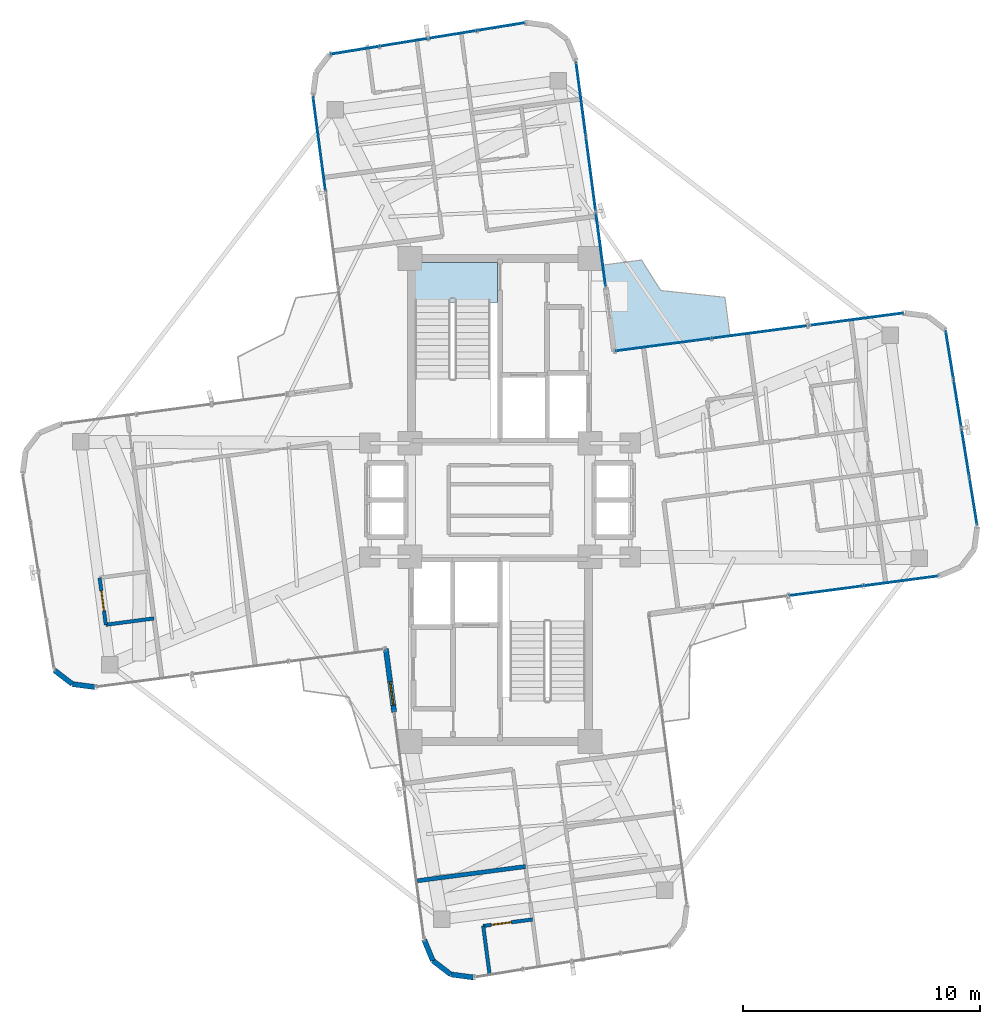
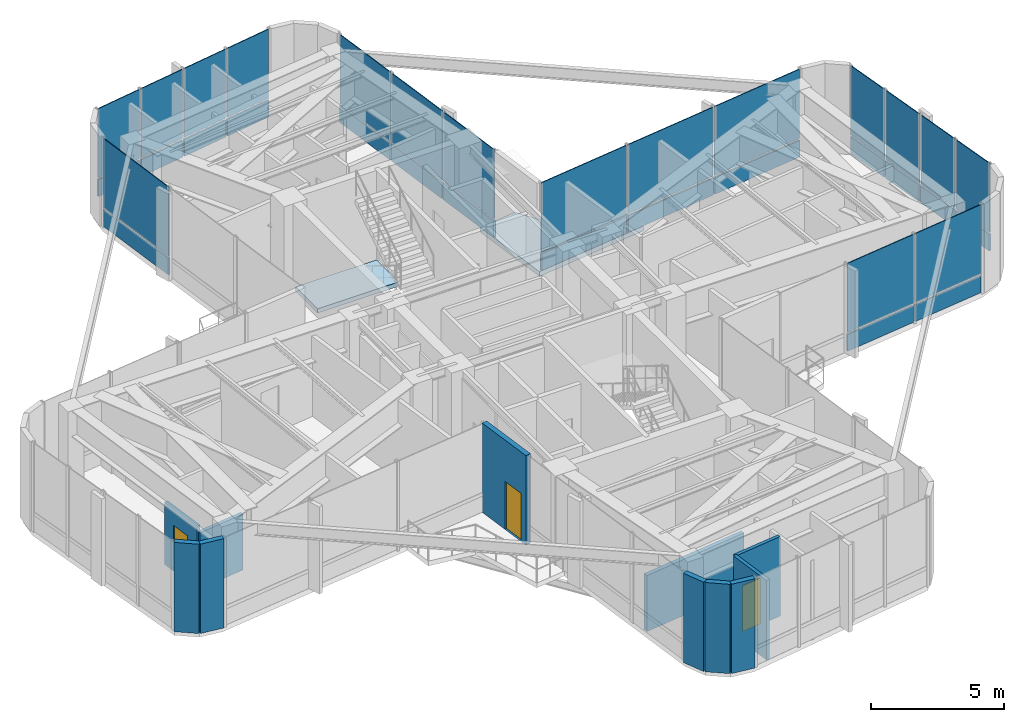
# One storey, part 13 of 18: 34 plates, 11 walls, 3 doors, 2 slabs, 3 openings, 6 elements without a shape of their own.
"""IFC4 building model written with IfcOpenShell, lengths in metres."""

from ifc_helpers import new_model, si_unit, direction, frame, frame_2d, origin, origin_2d, place, context, subcontext, project, spatial, polyline, rectangle, outline, extrude, source, transform, mapped, material, layer, layer_set, type_object, element, fill, aggregate, save


model = new_model("IFC4")

# Units and contexts
model_context = context("Model", 3, precision=1e-05, world=origin(), true_north=direction((0.0, 1.0)))
body_context = subcontext(model_context, "Body", "Model", "MODEL_VIEW")
ifc_project = project(units=[si_unit("LENGTHUNIT", "METRE"), si_unit("AREAUNIT", "SQUARE_METRE"), si_unit("VOLUMEUNIT", "CUBIC_METRE"), si_unit("PLANEANGLEUNIT", "RADIAN"), si_unit("MASSUNIT", "GRAM", prefix="KILO")], contexts=[model_context])

# Site, building, storey
site_placement = place(None, origin())
site = spatial("IfcSite", under=ifc_project, at=site_placement, CompositionType="ELEMENT")
building_placement = place(site_placement, origin())
building = spatial("IfcBuilding", under=site, at=building_placement, Name="Sahyath Konkavel Grand Hotel", CompositionType="ELEMENT")
storey_placement = place(building_placement, frame((0.0, 0.0, 275.800048828125)))
storey = spatial("IfcBuildingStorey", under=building, at=storey_placement, Name="L77", CompositionType="ELEMENT", Elevation=275.800048828125)

# Slabs
ifc_material_1 = material(Name="Concrete C40/50", Category="concrete")
ifc_layer_1 = layer(ifc_material_1, 0.219970703125)
ifc_layer_set_1 = layer_set([ifc_layer_1], Name="Concrete C40/50")
slab_type_1 = type_object("IfcSlabType", Name="SLB-BALCONY-220", PredefinedType="FLOOR", material=ifc_layer_set_1)
slab_1_placement = place(storey_placement, frame((0.0, 0.0, -0.219970703125)))
element("IfcSlab", 1, at=slab_1_placement, inside=storey, type_object=slab_type_1, Name="L77 Winter-Garden Balcony NE", PredefinedType="FLOOR", context=body_context, shape_type="SweptSolid", body=[
    extrude(outline(polyline([(4.821044921875, 6.282958984375), (9.7119140625, 6.927001953125), (9.497314453125, 8.557373046875), (6.78759765625, 8.845703125), (5.972900390625, 10.13330078125), (4.342529296875, 9.918701171875), (4.821044921875, 6.282958984375)])), origin(), (0.0, 0.0, 1.0), 0.219970703125),
])
ifc_layer_2 = layer(ifc_material_1, 0.199951171875)
ifc_layer_set_2 = layer_set([ifc_layer_2], Name="Concrete C40/50")
slab_type_2 = type_object("IfcSlabType", Name="SLB-STAIR-LND", PredefinedType="LANDING", material=ifc_layer_set_2)
slab_2_placement = place(storey_placement, frame((0.0, 0.0, -0.199951171875)))
element("IfcSlab", 2, at=slab_2_placement, inside=storey, type_object=slab_type_2, Name="L77 Stair ST-1 Floor Landing Slab", PredefinedType="LANDING", context=body_context, shape_type="SweptSolid", body=[
    extrude(outline(polyline([(-3.6201171875, 8.35009765625), (-0.10009765625, 8.35009765625), (-0.10009765625, 10.02001953125), (-3.6201171875, 10.02001953125), (-3.6201171875, 8.35009765625)])), origin(), (0.0, 0.0, 1.0), 0.199951171875),
])

# Curtain wall, plates
ifc_material_2 = material(Name="Anodised Bronze Aluminium & Low-E Glazing", Category="aluminium")
curtain_wall_type = type_object("IfcCurtainWallType", Name="CW-ZONE4", PredefinedType="NOTDEFINED", material=ifc_material_2)
curtain_wall_1_placement = place(storey_placement, origin())
curtain_wall_1 = element("IfcCurtainWall", 3, at=curtain_wall_1_placement, inside=storey, type_object=curtain_wall_type, Name="L77 Unitised Curtain Wall F0", PredefinedType="NOTDEFINED")
ifc_material_3 = material(Name="Warm Buff Sandstone Cladding", Category="masonry")
ifc_layer_3 = layer(ifc_material_3, 0.074951171875)
ifc_layer_set_3 = layer_set([ifc_layer_3], Name="Warm Buff Sandstone Cladding")
plate_type_1 = type_object("IfcPlateType", Name="PNL-SPANDREL-STONE", PredefinedType="SHEET", material=ifc_layer_set_3)
shared_shape_1 = source(origin(), body_context, "Body", "SweptSolid", [
    extrude(rectangle(XDim=3.123291015625, YDim=0.074951171875, at=origin_2d()), origin(), (0.0, 0.0, 1.0), 0.77001953125),
])
plate_1_placement = place(storey_placement, frame((13.763427734375, -3.836181640625, 0.0400390625), z_axis=(0.0, 0.0, 1.0), x_axis=(0.991444861374, 0.13052619222, 0.0)))
plate_1 = element("IfcPlate", 4, at=plate_1_placement, type_object=plate_type_1, Name="L77 Sandstone Relief Spandrel Panel F0-1", PredefinedType="SHEET", context=body_context, shape_type="MappedRepresentation", body=[
    mapped(shared_shape_1, transform((0.0, 0.0, 0.0), scale=1.0)),
])
plate_2_placement = place(storey_placement, frame((16.939453125, -3.418212890625, 0.0400390625), z_axis=(0.0, 0.0, 1.0), x_axis=(0.991444861374, 0.13052619222, 0.0)))
plate_2 = element("IfcPlate", 5, at=plate_2_placement, type_object=plate_type_1, Name="L77 Sandstone Relief Spandrel Panel F0-2", PredefinedType="SHEET", context=body_context, shape_type="MappedRepresentation", body=[
    mapped(shared_shape_1, transform((0.0, 0.0, 0.0), scale=1.0)),
])

curtain_wall_2_placement = place(storey_placement, origin())
curtain_wall_2 = element("IfcCurtainWall", 6, at=curtain_wall_2_placement, inside=storey, type_object=curtain_wall_type, Name="L77 Unitised Curtain Wall F8", PredefinedType="NOTDEFINED")
plate_3_placement = place(storey_placement, frame((4.25439453125, 10.587646484375, 0.0400390625), z_axis=(0.0, 0.0, 1.0), x_axis=(-0.13052619222, 0.991444861374, 0.0)))
plate_3 = element("IfcPlate", 7, at=plate_3_placement, type_object=plate_type_1, Name="L77 Sandstone Relief Spandrel Panel F8-0", PredefinedType="SHEET", context=body_context, shape_type="MappedRepresentation", body=[
    mapped(shared_shape_1, transform((0.0, 0.0, 0.0), scale=1.0)),
])
plate_4_placement = place(storey_placement, frame((3.836181640625, 13.763427734375, 0.0400390625), z_axis=(0.0, 0.0, 1.0), x_axis=(-0.13052619222, 0.991444861374, 0.0)))
plate_4 = element("IfcPlate", 8, at=plate_4_placement, type_object=plate_type_1, Name="L77 Sandstone Relief Spandrel Panel F8-1", PredefinedType="SHEET", context=body_context, shape_type="MappedRepresentation", body=[
    mapped(shared_shape_1, transform((0.0, 0.0, 0.0), scale=1.0)),
])
plate_5_placement = place(storey_placement, frame((3.418212890625, 16.939453125, 0.0400390625), z_axis=(0.0, 0.0, 1.0), x_axis=(-0.13052619222, 0.991444861374, 0.0)))
plate_5 = element("IfcPlate", 9, at=plate_5_placement, type_object=plate_type_1, Name="L77 Sandstone Relief Spandrel Panel F8-2", PredefinedType="SHEET", context=body_context, shape_type="MappedRepresentation", body=[
    mapped(shared_shape_1, transform((0.0, 0.0, 0.0), scale=1.0)),
])

curtain_wall_3_placement = place(storey_placement, origin())
curtain_wall_3 = element("IfcCurtainWall", 10, at=curtain_wall_3_placement, inside=storey, type_object=curtain_wall_type, Name="L77 Unitised Curtain Wall F4", PredefinedType="NOTDEFINED")
shared_shape_2 = source(origin(), body_context, "Body", "SweptSolid", [
    extrude(rectangle(XDim=2.007080078125, YDim=0.074951171875, at=origin_2d()), origin(), (0.0, 0.0, 1.0), 0.77001953125),
])
plate_6_placement = place(storey_placement, frame((19.98681640625, -0.05859375, 0.0400390625), z_axis=(0.0, 0.0, 1.0), x_axis=(-0.159622750546, 0.987178088041, 0.0)))
plate_6 = element("IfcPlate", 11, at=plate_6_placement, type_object=plate_type_1, Name="L77 Sandstone Relief Spandrel Panel F4-0", PredefinedType="SHEET", context=body_context, shape_type="MappedRepresentation", body=[
    mapped(shared_shape_2, transform((0.0, 0.0, 0.0), scale=1.0)),
])
plate_7_placement = place(storey_placement, frame((19.653564453125, 2.001708984375, 0.0400390625), z_axis=(0.0, 0.0, 1.0), x_axis=(-0.159622750546, 0.987178088041, 0.0)))
plate_7 = element("IfcPlate", 12, at=plate_7_placement, type_object=plate_type_1, Name="L77 Sandstone Relief Spandrel Panel F4-1", PredefinedType="SHEET", context=body_context, shape_type="MappedRepresentation", body=[
    mapped(shared_shape_2, transform((0.0, 0.0, 0.0), scale=1.0)),
])
plate_8_placement = place(storey_placement, frame((19.3203125, 4.062255859375, 0.0400390625), z_axis=(0.0, 0.0, 1.0), x_axis=(-0.159622750546, 0.987178088041, 0.0)))
plate_8 = element("IfcPlate", 13, at=plate_8_placement, type_object=plate_type_1, Name="L77 Sandstone Relief Spandrel Panel F4-2", PredefinedType="SHEET", context=body_context, shape_type="MappedRepresentation", body=[
    mapped(shared_shape_2, transform((0.0, 0.0, 0.0), scale=1.0)),
])
plate_9_placement = place(storey_placement, frame((18.9873046875, 6.12255859375, 0.0400390625), z_axis=(0.0, 0.0, 1.0), x_axis=(-0.159622750546, 0.987178088041, 0.0)))
plate_9 = element("IfcPlate", 14, at=plate_9_placement, type_object=plate_type_1, Name="L77 Sandstone Relief Spandrel Panel F4-3", PredefinedType="SHEET", context=body_context, shape_type="MappedRepresentation", body=[
    mapped(shared_shape_2, transform((0.0, 0.0, 0.0), scale=1.0)),
])

curtain_wall_4_placement = place(storey_placement, origin())
curtain_wall_4 = element("IfcCurtainWall", 15, at=curtain_wall_4_placement, inside=storey, type_object=curtain_wall_type, Name="L77 Unitised Curtain Wall F12", PredefinedType="NOTDEFINED")
plate_10_placement = place(storey_placement, frame((0.05859375, 19.98681640625, 0.0400390625), z_axis=(0.0, 0.0, 1.0), x_axis=(-0.987178088041, -0.159622750546, 0.0)))
plate_10 = element("IfcPlate", 16, at=plate_10_placement, type_object=plate_type_1, Name="L77 Sandstone Relief Spandrel Panel F12-0", PredefinedType="SHEET", context=body_context, shape_type="MappedRepresentation", body=[
    mapped(shared_shape_2, transform((0.0, 0.0, 0.0), scale=1.0)),
])
plate_11_placement = place(storey_placement, frame((-2.001708984375, 19.653564453125, 0.0400390625), z_axis=(0.0, 0.0, 1.0), x_axis=(-0.987178088041, -0.159622750546, 0.0)))
plate_11 = element("IfcPlate", 17, at=plate_11_placement, type_object=plate_type_1, Name="L77 Sandstone Relief Spandrel Panel F12-1", PredefinedType="SHEET", context=body_context, shape_type="MappedRepresentation", body=[
    mapped(shared_shape_2, transform((0.0, 0.0, 0.0), scale=1.0)),
])
plate_12_placement = place(storey_placement, frame((-4.062255859375, 19.3203125, 0.0400390625), z_axis=(0.0, 0.0, 1.0), x_axis=(-0.987178088041, -0.159622750546, 0.0)))
plate_12 = element("IfcPlate", 18, at=plate_12_placement, type_object=plate_type_1, Name="L77 Sandstone Relief Spandrel Panel F12-2", PredefinedType="SHEET", context=body_context, shape_type="MappedRepresentation", body=[
    mapped(shared_shape_2, transform((0.0, 0.0, 0.0), scale=1.0)),
])
plate_13_placement = place(storey_placement, frame((-6.12255859375, 18.9873046875, 0.0400390625), z_axis=(0.0, 0.0, 1.0), x_axis=(-0.987178088041, -0.159622750546, 0.0)))
plate_13 = element("IfcPlate", 19, at=plate_13_placement, type_object=plate_type_1, Name="L77 Sandstone Relief Spandrel Panel F12-3", PredefinedType="SHEET", context=body_context, shape_type="MappedRepresentation", body=[
    mapped(shared_shape_2, transform((0.0, 0.0, 0.0), scale=1.0)),
])

curtain_wall_5_placement = place(storey_placement, origin())
curtain_wall_5 = element("IfcCurtainWall", 20, at=curtain_wall_5_placement, inside=storey, type_object=curtain_wall_type, Name="L77 Unitised Curtain Wall F7", PredefinedType="NOTDEFINED")
shared_shape_3 = source(origin(), body_context, "Body", "SweptSolid", [
    extrude(rectangle(XDim=4.023193359375, YDim=0.074951171875, at=origin_2d()), origin(), (0.0, 0.0, 1.0), 0.77001953125),
])
plate_14_placement = place(storey_placement, frame((15.03125, 7.627197265625, 0.0400390625), z_axis=(0.0, 0.0, 1.0), x_axis=(-0.991444861374, -0.13052619222, 0.0)))
plate_14 = element("IfcPlate", 21, at=plate_14_placement, type_object=plate_type_1, Name="L77 Sandstone Relief Spandrel Panel F7-0", PredefinedType="SHEET", context=body_context, shape_type="MappedRepresentation", body=[
    mapped(shared_shape_3, transform((0.0, 0.0, 0.0), scale=1.0)),
])
plate_15_placement = place(storey_placement, frame((10.963134765625, 7.091552734375, 0.0400390625), z_axis=(0.0, 0.0, 1.0), x_axis=(-0.991444861374, -0.13052619222, 0.0)))
plate_15 = element("IfcPlate", 22, at=plate_15_placement, type_object=plate_type_1, Name="L77 Sandstone Relief Spandrel Panel F7-1", PredefinedType="SHEET", context=body_context, shape_type="MappedRepresentation", body=[
    mapped(shared_shape_3, transform((0.0, 0.0, 0.0), scale=1.0)),
])
plate_16_placement = place(storey_placement, frame((6.89501953125, 6.555908203125, 0.0400390625), z_axis=(0.0, 0.0, 1.0), x_axis=(-0.991444861374, -0.13052619222, 0.0)))
plate_16 = element("IfcPlate", 23, at=plate_16_placement, type_object=plate_type_1, Name="L77 Sandstone Relief Spandrel Panel F7-2", PredefinedType="SHEET", context=body_context, shape_type="MappedRepresentation", body=[
    mapped(shared_shape_3, transform((0.0, 0.0, 0.0), scale=1.0)),
])

# Curtain wall, plate
curtain_wall_6_placement = place(storey_placement, origin())
curtain_wall_6 = element("IfcCurtainWall", 24, at=curtain_wall_6_placement, inside=storey, type_object=curtain_wall_type, Name="L77 Unitised Curtain Wall F15", PredefinedType="NOTDEFINED")
plate_17_placement = place(storey_placement, frame((-7.627197265625, 15.03125, 0.0400390625), z_axis=(0.0, 0.0, 1.0), x_axis=(0.13052619222, -0.991444861374, 0.0)))
plate_17 = element("IfcPlate", 25, at=plate_17_placement, type_object=plate_type_1, Name="L77 Sandstone Relief Spandrel Panel F15-0", PredefinedType="SHEET", context=body_context, shape_type="MappedRepresentation", body=[
    mapped(shared_shape_3, transform((0.0, 0.0, 0.0), scale=1.0)),
])

# Plate
ifc_material_4 = material(Name="Low-E Solar Control Double Glazing", Category="glass")
ifc_layer_4 = layer(ifc_material_4, 0.035888671875)
ifc_layer_set_4 = layer_set([ifc_layer_4], Name="Low-E Solar Control Double Glazing")
plate_type_2 = type_object("IfcPlateType", Name="PNL-VISION-LOWE", PredefinedType="CURTAIN_PANEL", material=ifc_layer_set_4)
shared_shape_4 = source(origin(), body_context, "Body", "SweptSolid", [
    extrude(rectangle(XDim=3.123291015625, YDim=0.035888671875, at=origin_2d()), origin(), (0.0, 0.0, 1.0), 3.169921875),
])
plate_18_placement = place(storey_placement, frame((13.763427734375, -3.836181640625, 0.889892578125), z_axis=(0.0, 0.0, 1.0), x_axis=(0.991444861374, 0.13052619222, 0.0)))
plate_18 = element("IfcPlate", 26, at=plate_18_placement, type_object=plate_type_2, Name="L77 Low-E Vision Glazing Panel F0-1", PredefinedType="CURTAIN_PANEL", context=body_context, shape_type="MappedRepresentation", body=[
    mapped(shared_shape_4, transform((0.0, 0.0, 0.0), scale=1.0)),
])

plate_19_placement = place(storey_placement, frame((16.939453125, -3.418212890625, 0.889892578125), z_axis=(0.0, 0.0, 1.0), x_axis=(0.991444861374, 0.13052619222, 0.0)))
plate_19 = element("IfcPlate", 27, at=plate_19_placement, type_object=plate_type_2, Name="L77 Low-E Vision Glazing Panel F0-2", PredefinedType="CURTAIN_PANEL", context=body_context, shape_type="MappedRepresentation", body=[
    mapped(shared_shape_4, transform((0.0, 0.0, 0.0), scale=1.0)),
])

aggregate(curtain_wall_1, [plate_1, plate_18, plate_2, plate_19])

plate_20_placement = place(storey_placement, frame((4.25439453125, 10.587646484375, 0.889892578125), z_axis=(0.0, 0.0, 1.0), x_axis=(-0.13052619222, 0.991444861374, 0.0)))
plate_20 = element("IfcPlate", 28, at=plate_20_placement, type_object=plate_type_2, Name="L77 Low-E Vision Glazing Panel F8-0", PredefinedType="CURTAIN_PANEL", context=body_context, shape_type="MappedRepresentation", body=[
    mapped(shared_shape_4, transform((0.0, 0.0, 0.0), scale=1.0)),
])

plate_21_placement = place(storey_placement, frame((3.836181640625, 13.763427734375, 0.889892578125), z_axis=(0.0, 0.0, 1.0), x_axis=(-0.13052619222, 0.991444861374, 0.0)))
plate_21 = element("IfcPlate", 29, at=plate_21_placement, type_object=plate_type_2, Name="L77 Low-E Vision Glazing Panel F8-1", PredefinedType="CURTAIN_PANEL", context=body_context, shape_type="MappedRepresentation", body=[
    mapped(shared_shape_4, transform((0.0, 0.0, 0.0), scale=1.0)),
])

plate_22_placement = place(storey_placement, frame((3.418212890625, 16.939453125, 0.889892578125), z_axis=(0.0, 0.0, 1.0), x_axis=(-0.13052619222, 0.991444861374, 0.0)))
plate_22 = element("IfcPlate", 30, at=plate_22_placement, type_object=plate_type_2, Name="L77 Low-E Vision Glazing Panel F8-2", PredefinedType="CURTAIN_PANEL", context=body_context, shape_type="MappedRepresentation", body=[
    mapped(shared_shape_4, transform((0.0, 0.0, 0.0), scale=1.0)),
])

aggregate(curtain_wall_2, [plate_3, plate_20, plate_4, plate_21, plate_5, plate_22])

shared_shape_5 = source(origin(), body_context, "Body", "SweptSolid", [
    extrude(rectangle(XDim=2.007080078125, YDim=0.035888671875, at=origin_2d()), origin(), (0.0, 0.0, 1.0), 3.169921875),
])
plate_23_placement = place(storey_placement, frame((19.98681640625, -0.05859375, 0.889892578125), z_axis=(0.0, 0.0, 1.0), x_axis=(-0.159622750546, 0.987178088041, 0.0)))
plate_23 = element("IfcPlate", 31, at=plate_23_placement, type_object=plate_type_2, Name="L77 Low-E Vision Glazing Panel F4-0", PredefinedType="CURTAIN_PANEL", context=body_context, shape_type="MappedRepresentation", body=[
    mapped(shared_shape_5, transform((0.0, 0.0, 0.0), scale=1.0)),
])

plate_24_placement = place(storey_placement, frame((19.653564453125, 2.001708984375, 0.889892578125), z_axis=(0.0, 0.0, 1.0), x_axis=(-0.159622750546, 0.987178088041, 0.0)))
plate_24 = element("IfcPlate", 32, at=plate_24_placement, type_object=plate_type_2, Name="L77 Low-E Vision Glazing Panel F4-1", PredefinedType="CURTAIN_PANEL", context=body_context, shape_type="MappedRepresentation", body=[
    mapped(shared_shape_5, transform((0.0, 0.0, 0.0), scale=1.0)),
])

plate_25_placement = place(storey_placement, frame((19.3203125, 4.062255859375, 0.889892578125), z_axis=(0.0, 0.0, 1.0), x_axis=(-0.159622750546, 0.987178088041, 0.0)))
plate_25 = element("IfcPlate", 33, at=plate_25_placement, type_object=plate_type_2, Name="L77 Low-E Vision Glazing Panel F4-2", PredefinedType="CURTAIN_PANEL", context=body_context, shape_type="MappedRepresentation", body=[
    mapped(shared_shape_5, transform((0.0, 0.0, 0.0), scale=1.0)),
])

plate_26_placement = place(storey_placement, frame((18.9873046875, 6.12255859375, 0.889892578125), z_axis=(0.0, 0.0, 1.0), x_axis=(-0.159622750546, 0.987178088041, 0.0)))
plate_26 = element("IfcPlate", 34, at=plate_26_placement, type_object=plate_type_2, Name="L77 Low-E Vision Glazing Panel F4-3", PredefinedType="CURTAIN_PANEL", context=body_context, shape_type="MappedRepresentation", body=[
    mapped(shared_shape_5, transform((0.0, 0.0, 0.0), scale=1.0)),
])

aggregate(curtain_wall_3, [plate_6, plate_23, plate_7, plate_24, plate_8, plate_25, plate_9, plate_26])

plate_27_placement = place(storey_placement, frame((0.05859375, 19.98681640625, 0.889892578125), z_axis=(0.0, 0.0, 1.0), x_axis=(-0.987178088041, -0.159622750546, 0.0)))
plate_27 = element("IfcPlate", 35, at=plate_27_placement, type_object=plate_type_2, Name="L77 Low-E Vision Glazing Panel F12-0", PredefinedType="CURTAIN_PANEL", context=body_context, shape_type="MappedRepresentation", body=[
    mapped(shared_shape_5, transform((0.0, 0.0, 0.0), scale=1.0)),
])

plate_28_placement = place(storey_placement, frame((-2.001708984375, 19.653564453125, 0.889892578125), z_axis=(0.0, 0.0, 1.0), x_axis=(-0.987178088041, -0.159622750546, 0.0)))
plate_28 = element("IfcPlate", 36, at=plate_28_placement, type_object=plate_type_2, Name="L77 Low-E Vision Glazing Panel F12-1", PredefinedType="CURTAIN_PANEL", context=body_context, shape_type="MappedRepresentation", body=[
    mapped(shared_shape_5, transform((0.0, 0.0, 0.0), scale=1.0)),
])

plate_29_placement = place(storey_placement, frame((-4.062255859375, 19.3203125, 0.889892578125), z_axis=(0.0, 0.0, 1.0), x_axis=(-0.987178088041, -0.159622750546, 0.0)))
plate_29 = element("IfcPlate", 37, at=plate_29_placement, type_object=plate_type_2, Name="L77 Low-E Vision Glazing Panel F12-2", PredefinedType="CURTAIN_PANEL", context=body_context, shape_type="MappedRepresentation", body=[
    mapped(shared_shape_5, transform((0.0, 0.0, 0.0), scale=1.0)),
])

plate_30_placement = place(storey_placement, frame((-6.12255859375, 18.9873046875, 0.889892578125), z_axis=(0.0, 0.0, 1.0), x_axis=(-0.987178088041, -0.159622750546, 0.0)))
plate_30 = element("IfcPlate", 38, at=plate_30_placement, type_object=plate_type_2, Name="L77 Low-E Vision Glazing Panel F12-3", PredefinedType="CURTAIN_PANEL", context=body_context, shape_type="MappedRepresentation", body=[
    mapped(shared_shape_5, transform((0.0, 0.0, 0.0), scale=1.0)),
])

aggregate(curtain_wall_4, [plate_10, plate_27, plate_11, plate_28, plate_12, plate_29, plate_13, plate_30])

shared_shape_6 = source(origin(), body_context, "Body", "SweptSolid", [
    extrude(rectangle(XDim=4.023193359375, YDim=0.035888671875, at=origin_2d()), origin(), (0.0, 0.0, 1.0), 3.169921875),
])
plate_31_placement = place(storey_placement, frame((15.03125, 7.627197265625, 0.889892578125), z_axis=(0.0, 0.0, 1.0), x_axis=(-0.991444861374, -0.13052619222, 0.0)))
plate_31 = element("IfcPlate", 39, at=plate_31_placement, type_object=plate_type_2, Name="L77 Low-E Vision Glazing Panel F7-0", PredefinedType="CURTAIN_PANEL", context=body_context, shape_type="MappedRepresentation", body=[
    mapped(shared_shape_6, transform((0.0, 0.0, 0.0), scale=1.0)),
])

plate_32_placement = place(storey_placement, frame((10.963134765625, 7.091552734375, 0.889892578125), z_axis=(0.0, 0.0, 1.0), x_axis=(-0.991444861374, -0.13052619222, 0.0)))
plate_32 = element("IfcPlate", 40, at=plate_32_placement, type_object=plate_type_2, Name="L77 Low-E Vision Glazing Panel F7-1", PredefinedType="CURTAIN_PANEL", context=body_context, shape_type="MappedRepresentation", body=[
    mapped(shared_shape_6, transform((0.0, 0.0, 0.0), scale=1.0)),
])

plate_33_placement = place(storey_placement, frame((6.89501953125, 6.555908203125, 0.889892578125), z_axis=(0.0, 0.0, 1.0), x_axis=(-0.991444861374, -0.13052619222, 0.0)))
plate_33 = element("IfcPlate", 41, at=plate_33_placement, type_object=plate_type_2, Name="L77 Low-E Vision Glazing Panel F7-2", PredefinedType="CURTAIN_PANEL", context=body_context, shape_type="MappedRepresentation", body=[
    mapped(shared_shape_6, transform((0.0, 0.0, 0.0), scale=1.0)),
])

aggregate(curtain_wall_5, [plate_14, plate_31, plate_15, plate_32, plate_16, plate_33])

plate_34_placement = place(storey_placement, frame((-7.627197265625, 15.03125, 0.889892578125), z_axis=(0.0, 0.0, 1.0), x_axis=(0.13052619222, -0.991444861374, 0.0)))
plate_34 = element("IfcPlate", 42, at=plate_34_placement, type_object=plate_type_2, Name="L77 Low-E Vision Glazing Panel F15-0", PredefinedType="CURTAIN_PANEL", context=body_context, shape_type="MappedRepresentation", body=[
    mapped(shared_shape_6, transform((0.0, 0.0, 0.0), scale=1.0)),
])

aggregate(curtain_wall_6, [plate_17, plate_34])

# Walls
ifc_material_5 = material(Name="Warm Buff Sandstone Insulated Concrete C40/50", Category="masonry")
ifc_layer_5 = layer(ifc_material_5, 0.219970703125)
ifc_layer_set_5 = layer_set([ifc_layer_5], Name="Warm Buff Sandstone Insulated Concrete C40/50")
wall_type_1 = type_object("IfcWallType", Name="WLL-BALC-THRESH", PredefinedType="STANDARD", material=ifc_layer_set_5)
wall_1_placement = place(storey_placement, frame((-18.814208984375, -7.1923828125, 0.0), z_axis=(0.0, 0.0, 1.0), x_axis=(0.793249178392, -0.608897151398, 0.0)))
element("IfcWall", 43, at=wall_1_placement, inside=storey, type_object=wall_type_1, Name="L77 Rounded Corner Sandstone Pier 21", PredefinedType="STANDARD", context=body_context, shape_type="SweptSolid", body=[
    extrude(rectangle(XDim=0.95751953125, YDim=0.219970703125, at=frame_2d((0.478759765625, 0.0))), origin(), (0.0, 0.0, 1.0), 4.099853515625),
])
wall_2_placement = place(storey_placement, frame((-18.0546875, -7.775390625, 0.0), z_axis=(0.0, 0.0, 1.0), x_axis=(0.991449089759, -0.130494070426, 0.0)))
element("IfcWall", 44, at=wall_2_placement, inside=storey, type_object=wall_type_1, Name="L77 Rounded Corner Sandstone Pier 22", PredefinedType="STANDARD", context=body_context, shape_type="SweptSolid", body=[
    extrude(rectangle(XDim=0.9580078125, YDim=0.219970703125, at=frame_2d((0.47900390625, 0.0))), origin(), (0.0, 0.0, 1.0), 4.099853515625),
])

# Wall, opening, door
wall_3_placement = place(storey_placement, frame((-4.821044921875, -6.282958984375, 0.0), z_axis=(0.0, 0.0, 1.0), x_axis=(0.130475563272, -0.991451525486, 0.0)))
wall_3 = element("IfcWall", 45, at=wall_3_placement, inside=storey, type_object=wall_type_1, Name="L77 Winter-Garden Threshold Wall 24", PredefinedType="STANDARD", context=body_context, shape_type="SweptSolid", body=[
    extrude(rectangle(XDim=2.7001953125, YDim=0.219970703125, at=frame_2d((1.35009765625, 0.0))), origin(), (0.0, 0.0, 1.0), 4.099853515625),
])
opening_1_placement = place(wall_3_placement, frame((1.39990234375, 0.0, 0.0)))
opening_1 = element("IfcOpeningElement", 46, at=opening_1_placement, cuts=wall_3, Name="Opening D-TR1", PredefinedType="OPENING", context=body_context, shape_type="SweptSolid", body=[
    extrude(rectangle(XDim=1.0, YDim=2.199951171875, at=frame_2d((0.5, 1.10009765625))), frame((0.0, 0.1201171875, 0.0), z_axis=(0.0, -1.0, 0.0), x_axis=(1.0, 0.0, 0.0)), (0.0, 0.0, 1.0), 0.239990234375),
])
door_type_1 = type_object("IfcDoorType", Name="DR-TERRACE-1000", OperationType="NOTDEFINED", PredefinedType="DOOR", material=ifc_material_2)
shared_shape_7 = source(origin(), body_context, "Body", "SweptSolid", [
    extrude(rectangle(XDim=1.0, YDim=0.050048828125, at=origin_2d()), origin(), (0.0, 0.0, 1.0), 2.199951171875),
])
door_1_placement = place(opening_1_placement, frame((0.5, 0.0, 0.0)))
door_1 = element("IfcDoor", 47, at=door_1_placement, inside=storey, type_object=door_type_1, Name="L77 Winter-Garden Terrace Door 24", OperationType="SINGLE_SWING_LEFT", OverallHeight=2.199951171875, OverallWidth=1.0, PredefinedType="DOOR", context=body_context, shape_type="MappedRepresentation", body=[
    mapped(shared_shape_7, transform((0.0, 0.0, 0.0), scale=1.0)),
])
fill(opening_1, door_1)

# Walls
wall_4_placement = place(storey_placement, frame((-3.203857421875, -18.56689453125, 0.0), z_axis=(0.0, 0.0, 1.0), x_axis=(0.382569397359, -0.923926759112, 0.0)))
element("IfcWall", 48, at=wall_4_placement, inside=storey, type_object=wall_type_1, Name="L77 Rounded Corner Sandstone Pier 25", PredefinedType="STANDARD", context=body_context, shape_type="SweptSolid", body=[
    extrude(rectangle(XDim=0.957763671875, YDim=0.219970703125, at=frame_2d((0.47900390625, 0.0))), origin(), (0.0, 0.0, 1.0), 4.099853515625),
])
for number, where, z_axis, x_axis, name in (
    (49, (-2.83740234375, -19.451904296875, 0.0), (0.0, 0.0, 1.0), (0.793466811674, -0.60861352168, 0.0), "L77 Rounded Corner Sandstone Pier 26"),
    (50, (-2.07763671875, -20.03466796875, 0.0), (0.0, 0.0, 1.0), (0.991440402921, -0.13056005306, 0.0), "L77 Rounded Corner Sandstone Pier 27"),
):
    element("IfcWall", number, at=place(storey_placement, frame(where, z_axis=z_axis, x_axis=x_axis)), inside=storey, type_object=wall_type_1, Name=name, PredefinedType="STANDARD", context=body_context, shape_type="SweptSolid", body=[
        extrude(rectangle(XDim=0.95751953125, YDim=0.219970703125, at=frame_2d((0.478759765625, 0.0))), origin(), (0.0, 0.0, 1.0), 4.099853515625),
    ])
ifc_material_6 = material(Name="Twin-Stud Acoustic Gypsum Plasterboard Partition")
ifc_layer_6 = layer(ifc_material_6, 0.179931640625)
ifc_layer_set_6 = layer_set([ifc_layer_6], Name="Twin-Stud Acoustic Gypsum Plasterboard Partition")
wall_type_2 = type_object("IfcWallType", Name="WLL-DEMISE-180", PredefinedType="PARTITIONING", material=ifc_layer_set_6)
wall_5_placement = place(storey_placement, frame((1.07958984375, -15.4775390625, 0.0), z_axis=(0.0, 0.0, 1.0), x_axis=(-0.991447610501, -0.130505308828, 0.0)))
element("IfcWall", 51, at=wall_5_placement, inside=storey, type_object=wall_type_2, Name="L77 Partition S-S1R-DEM", PredefinedType="PARTITIONING", context=body_context, shape_type="SweptSolid", body=[
    extrude(rectangle(XDim=4.60009765625, YDim=0.179931640625, at=frame_2d((2.300048828125, 0.0))), origin(), (0.0, 0.0, 1.0), 2.570068359375),
])
ifc_material_7 = material(Name="Fire-Rated Gypsum Plasterboard Partition")
ifc_layer_7 = layer(ifc_material_7, 0.14990234375)
ifc_layer_set_7 = layer_set([ifc_layer_7], Name="Fire-Rated Gypsum Plasterboard Partition")
wall_type_3 = type_object("IfcWallType", Name="WLL-PART-150", PredefinedType="PARTITIONING", material=ifc_layer_set_7)
wall_6_placement = place(storey_placement, frame((-14.6123046875, -5.0, 0.0), z_axis=(0.0, 0.0, 1.0), x_axis=(-0.991444969909, -0.13052536781, 0.0)))
element("IfcWall", 52, at=wall_6_placement, inside=storey, type_object=wall_type_3, Name="L77 Partition W-WTIP-BN", PredefinedType="PARTITIONING", context=body_context, shape_type="SweptSolid", body=[
    extrude(rectangle(XDim=2.050048828125, YDim=0.14990234375, at=frame_2d((1.02490234375, 0.0))), origin(), (0.0, 0.0, 1.0), 2.570068359375),
])

# Wall, opening, door
wall_7_placement = place(storey_placement, frame((-16.906005859375, -3.284912109375, 0.0), z_axis=(0.0, 0.0, 1.0), x_axis=(0.130628201708, -0.991431426231, 0.0)))
wall_7 = element("IfcWall", 53, at=wall_7_placement, inside=storey, type_object=wall_type_3, Name="L77 Partition W-WTIP-BE", PredefinedType="PARTITIONING", context=body_context, shape_type="SweptSolid", body=[
    extrude(rectangle(XDim=1.999755859375, YDim=0.14990234375, at=frame_2d((1.0, 0.0))), origin(), (0.0, 0.0, 1.0), 2.869873046875),
])
opening_2_placement = place(wall_7_placement, frame((0.550048828125, 0.0, 0.0)))
opening_2 = element("IfcOpeningElement", 54, at=opening_2_placement, cuts=wall_7, Name="Opening D-BT85", PredefinedType="OPENING", context=body_context, shape_type="SweptSolid", body=[
    extrude(rectangle(XDim=0.85009765625, YDim=2.10009765625, at=frame_2d((0.425048828125, 1.050048828125))), frame((0.0, 0.0849609375, 0.0), z_axis=(0.0, -1.0, 0.0), x_axis=(1.0, 0.0, 0.0)), (0.0, 0.0, 1.0), 0.169921875),
])
ifc_material_8 = material(Name="Moisture-Resistant Teak Bathroom Door")
door_type_2 = type_object("IfcDoorType", Name="DR-BATH-850", OperationType="NOTDEFINED", PredefinedType="DOOR", material=ifc_material_8)
shared_shape_8 = source(origin(), body_context, "Body", "SweptSolid", [
    extrude(rectangle(XDim=0.85009765625, YDim=0.050048828125, at=origin_2d()), origin(), (0.0, 0.0, 1.0), 2.10009765625),
])
door_2_placement = place(opening_2_placement, frame((0.425048828125, 0.0, 0.0)))
door_2 = element("IfcDoor", 55, at=door_2_placement, inside=storey, type_object=door_type_2, Name="L77 Door W-WTIP-BD", OperationType="SINGLE_SWING_RIGHT", OverallHeight=2.10009765625, OverallWidth=0.85009765625, PredefinedType="DOOR", context=body_context, shape_type="MappedRepresentation", body=[
    mapped(shared_shape_8, transform((0.0, 0.0, 0.0), scale=1.0)),
])
fill(opening_2, door_2)

wall_8_placement = place(storey_placement, frame((1.373779296875, -17.712158203125, 0.0), z_axis=(0.0, 0.0, 1.0), x_axis=(-0.991442817683, -0.130541714651, 0.0)))
wall_8 = element("IfcWall", 56, at=wall_8_placement, inside=storey, type_object=wall_type_3, Name="L77 Partition S-S2R-BS", PredefinedType="PARTITIONING", context=body_context, shape_type="SweptSolid", body=[
    extrude(rectangle(XDim=2.100341796875, YDim=0.14990234375, at=frame_2d((1.05029296875, 0.0))), origin(), (0.0, 0.0, 1.0), 3.64990234375),
])
opening_3_placement = place(wall_8_placement, frame((0.89990234375, 0.0, 0.0)))
opening_3 = element("IfcOpeningElement", 57, at=opening_3_placement, cuts=wall_8, Name="Opening D-BT85", PredefinedType="OPENING", context=body_context, shape_type="SweptSolid", body=[
    extrude(rectangle(XDim=0.85009765625, YDim=2.10009765625, at=frame_2d((0.425048828125, 1.050048828125))), frame((0.0, 0.0849609375, 0.0), z_axis=(0.0, -1.0, 0.0), x_axis=(1.0, 0.0, 0.0)), (0.0, 0.0, 1.0), 0.169921875),
])
door_3_placement = place(opening_3_placement, frame((0.425048828125, 0.0, 0.0)))
door_3 = element("IfcDoor", 58, at=door_3_placement, inside=storey, type_object=door_type_2, Name="L77 Door S-S2R-BD", OperationType="SINGLE_SWING_RIGHT", OverallHeight=2.10009765625, OverallWidth=0.85009765625, PredefinedType="DOOR", context=body_context, shape_type="MappedRepresentation", body=[
    mapped(shared_shape_8, transform((0.0, 0.0, 0.0), scale=1.0)),
])
fill(opening_3, door_3)

# Wall
wall_9_placement = place(storey_placement, frame((-0.70849609375, -17.986328125, 0.0), z_axis=(0.0, 0.0, 1.0), x_axis=(0.13052536781, -0.991444969909, 0.0)))
element("IfcWall", 59, at=wall_9_placement, inside=storey, type_object=wall_type_3, Name="L77 Partition S-S2R-BF", PredefinedType="PARTITIONING", context=body_context, shape_type="SweptSolid", body=[
    extrude(rectangle(XDim=2.050048828125, YDim=0.14990234375, at=frame_2d((1.02490234375, 0.0))), origin(), (0.0, 0.0, 1.0), 3.64990234375),
])

save(model, "model.ifc")
